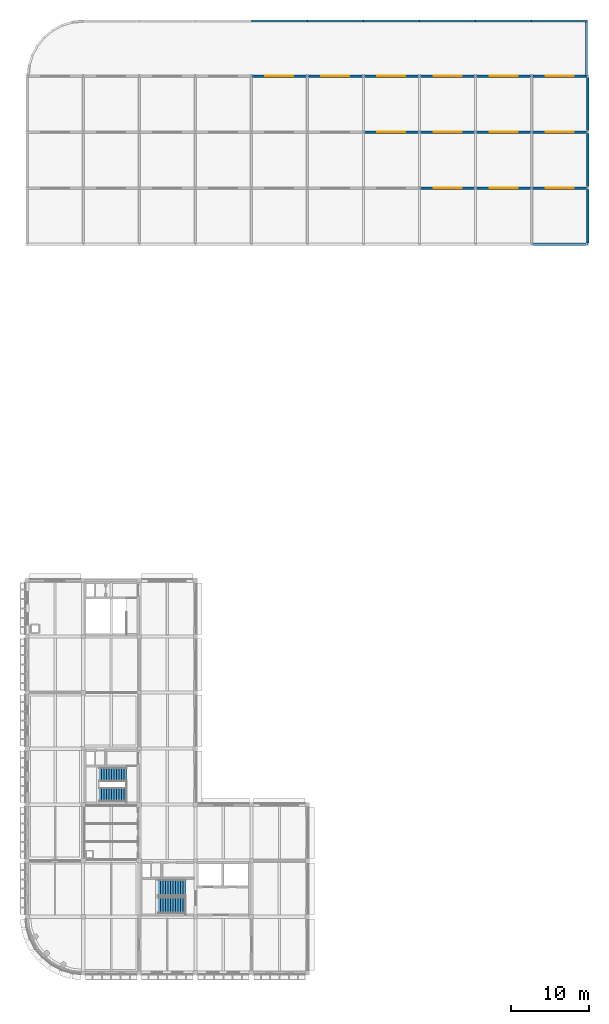
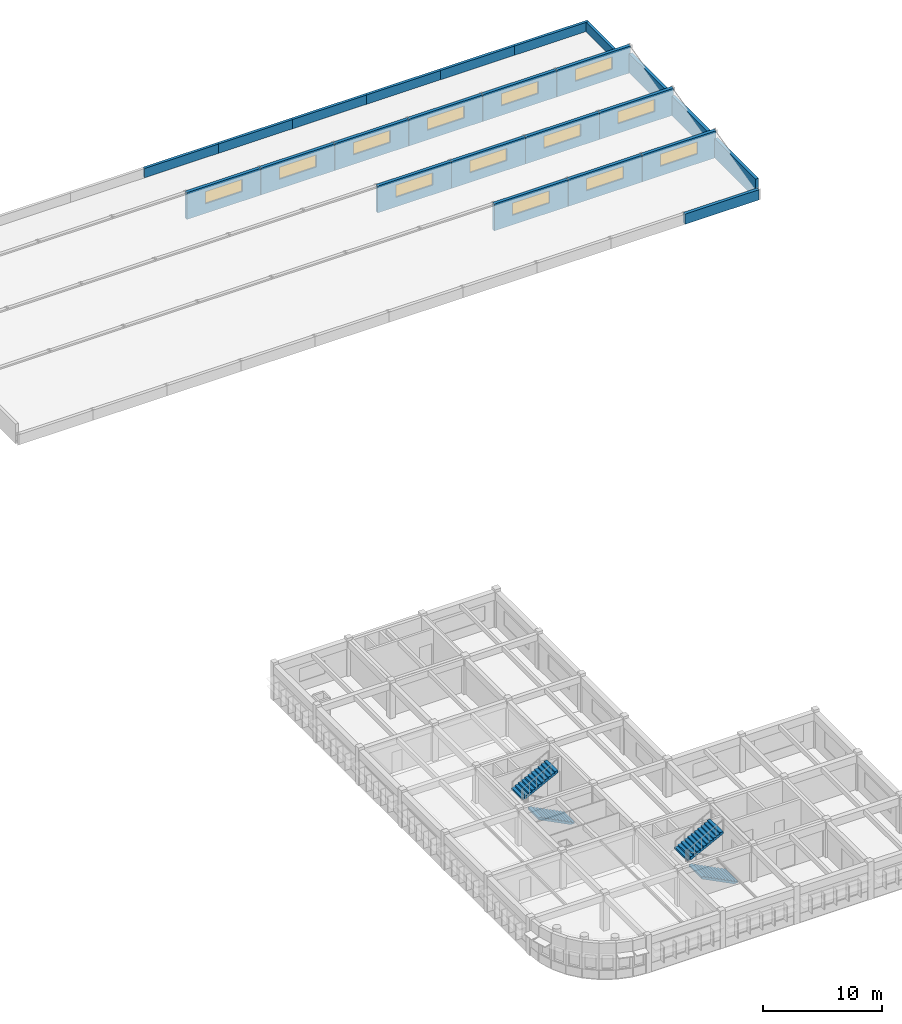
# One storey, part 17 of 19: 24 walls, 13 windows, 4 stair flights, 13 openings, 2 elements without a shape of their own.
"""IFC4 building model written with IfcOpenShell, lengths in metres."""

import ifcopenshell
import ifcopenshell.guid

model = None  # the IFC model being written
_history = None  # IfcOwnerHistory: only IFC2X3 demands one
_inside = {}  # id of a spatial element -> (the spatial element, [elements in it])
_under = {}  # id of a project, library or spatial element -> (it, [spatial elements below it])
_declared = {}  # id of a project -> (the project, [libraries it declares])
_typed = {}  # id of a type object -> (the type object, [elements of that type])
_made_of = {}  # id of a material, layer set ... -> (it, [elements and type objects made of it])


def new_model(schema):
    """Start an empty IFC model of exactly this schema.

    Asked for "IFC4X3", IfcOpenShell would pick the latest addendum, in which some entities
    have other attributes; the version numbers below select the first issue.
    IFC2X3 requires an IfcOwnerHistory on every rooted entity: one is made here for all.
    """
    global model, _history
    if schema == "IFC4X3":
        model = ifcopenshell.file(schema_version=(4, 3, 0, 0))
    else:
        model = ifcopenshell.file(schema=schema)
    _inside.clear()
    _under.clear()
    _declared.clear()
    _typed.clear()
    _made_of.clear()
    _history = None
    if model.schema == "IFC2X3":
        org = make("IfcOrganization", Name="unknown")
        user = make(
            "IfcPersonAndOrganization",
            ThePerson=make("IfcPerson", FamilyName="unknown"),
            TheOrganization=org,
        )
        app = make(
            "IfcApplication",
            ApplicationDeveloper=org,
            Version="unknown",
            ApplicationFullName="unknown",
            ApplicationIdentifier="unknown",
        )
        _history = make(
            "IfcOwnerHistory",
            OwningUser=user,
            OwningApplication=app,
            ChangeAction="ADDED",
            CreationDate=0,
        )
    return model


def make(cls, **values):
    """One entity of the class cls with the attributes given. An attribute that is None is left unset."""
    return model.create_entity(
        cls, **{name: value for name, value in values.items() if value is not None}
    )


def rooted(cls, **values):
    """An entity with a GlobalId (a new one), such as an element, a storey or a relation."""
    return make(cls, GlobalId=ifcopenshell.guid.new(), OwnerHistory=_history, **values)


def si_unit(unit_type, name, prefix=None):
    """IfcSIUnit, for example si_unit("LENGTHUNIT", "METRE", prefix="MILLI")."""
    return make("IfcSIUnit", UnitType=unit_type, Prefix=prefix, Name=name)


def assignment(units):
    """IfcUnitAssignment: the units of a project."""
    return None if units is None else make("IfcUnitAssignment", Units=units)


def point(xyz):
    """IfcCartesianPoint."""
    return None if xyz is None else make("IfcCartesianPoint", Coordinates=xyz)


def direction(xyz):
    """IfcDirection."""
    return None if xyz is None else make("IfcDirection", DirectionRatios=xyz)


def frame(location, z_axis=None, x_axis=None):
    """IfcAxis2Placement3D, a coordinate frame: its origin and axes. An axis left out is left unset."""
    return make(
        "IfcAxis2Placement3D",
        Location=point(location),
        Axis=direction(z_axis),
        RefDirection=direction(x_axis),
    )


def frame_2d(location, x_axis=None):
    """IfcAxis2Placement2D, a coordinate frame in the plane: its origin and x axis."""
    return make(
        "IfcAxis2Placement2D", Location=point(location), RefDirection=direction(x_axis)
    )


def origin():
    """The frame at (0, 0, 0) with its axes left unset."""
    return frame((0.0, 0.0, 0.0))


def place(relative_to, where):
    """IfcLocalPlacement: puts the frame where relative to a parent placement (None: the world)."""
    return make(
        "IfcLocalPlacement", PlacementRelTo=relative_to, RelativePlacement=where
    )


def context(
    kind, dimensions, precision=None, world=None, true_north=None, identifier=None
):
    """IfcGeometricRepresentationContext, for example the 3D "Model" context."""
    return make(
        "IfcGeometricRepresentationContext",
        ContextIdentifier=identifier,
        ContextType=kind,
        CoordinateSpaceDimension=dimensions,
        Precision=precision,
        WorldCoordinateSystem=world,
        TrueNorth=true_north,
    )


def subcontext(parent, identifier, kind, view, scale=None):
    """IfcGeometricRepresentationSubContext, for example "Body" below "Model"."""
    return make(
        "IfcGeometricRepresentationSubContext",
        ContextIdentifier=identifier,
        ContextType=kind,
        ParentContext=parent,
        TargetScale=scale,
        TargetView=view,
    )


def project(units=None, contexts=None):
    """IfcProject with its units and contexts."""
    return rooted(
        "IfcProject",
        Name="project",
        RepresentationContexts=contexts,
        UnitsInContext=assignment(units),
    )


def spatial(cls, under=None, at=None, **own):
    """A site, building, storey or space (cls), placed at a placement, below another one or the project."""
    s = rooted(cls, ObjectPlacement=at, **own)
    if under is not None:
        _under.setdefault(under.id(), (under, []))[1].append(s)
    return s


def polyline(points):
    """IfcPolyline through the points."""
    return make("IfcPolyline", Points=[point(p) for p in points])


def profile(cls, at=None, kind="AREA", **sizes):
    """A parametric profile (cls). Its sizes go by their IFC names, for example OverallWidth=200.0."""
    return make(cls, ProfileType=kind, Position=at, **sizes)


def rectangle(**sizes):
    """IfcRectangleProfileDef."""
    return profile("IfcRectangleProfileDef", **sizes)


def outline(outer, holes=None, kind="AREA"):
    """IfcArbitraryClosedProfileDef: a profile drawn as a closed curve; with holes, ...WithVoids."""
    if holes is None:
        return make("IfcArbitraryClosedProfileDef", ProfileType=kind, OuterCurve=outer)
    return make(
        "IfcArbitraryProfileDefWithVoids",
        ProfileType=kind,
        OuterCurve=outer,
        InnerCurves=holes,
    )


def extrude(swept, where, along, depth):
    """IfcExtrudedAreaSolid: the profile swept, set in the frame where, extruded along a direction by depth."""
    return make(
        "IfcExtrudedAreaSolid",
        SweptArea=swept,
        Position=where,
        ExtrudedDirection=direction(along),
        Depth=depth,
    )


def shape(context_of_items, identifier, shape_type, items):
    """IfcShapeRepresentation: the items that make up one representation, for example the "Body"."""
    return make(
        "IfcShapeRepresentation",
        ContextOfItems=context_of_items,
        RepresentationIdentifier=identifier,
        RepresentationType=shape_type,
        Items=items,
    )


def material(Name=None, Category=None):
    """IfcMaterial."""
    return make("IfcMaterial", Name=Name, Category=Category)


def layer(
    of_material, thickness, ventilated=None, Name=None, Category=None, Priority=None
):
    """IfcMaterialLayer: one layer of a wall or slab, of a material (None: an air gap)."""
    return make(
        "IfcMaterialLayer",
        Material=of_material,
        LayerThickness=thickness,
        IsVentilated=ventilated,
        Name=Name,
        Category=Category,
        Priority=Priority,
    )


def layer_set(layers, Name=None):
    """IfcMaterialLayerSet."""
    return make("IfcMaterialLayerSet", MaterialLayers=layers, LayerSetName=Name)


def made_of(thing, what):
    """Note that an element or type object is made of a material, layer set ...; save() writes the relation."""
    if what is not None:
        _made_of.setdefault(what.id(), (what, []))[1].append(thing)
    return thing


def type_object(cls, material=None, **own):
    """A type object (cls), such as IfcWallType, which elements share."""
    return made_of(rooted(cls, **own), material)


def element(
    cls,
    number,
    at=None,
    inside=None,
    cuts=None,
    type_object=None,
    material=None,
    context=None,
    identifier="Body",
    shape_type=None,
    held_by="IfcProductDefinitionShape",
    body=None,
    shapes=None,
    **own,
):
    """One element of the class cls, such as IfcWall. Its Tag is "e" and its number.

    at: its placement. inside: the storey or other place that contains it. cuts: it is an
    opening in that element (IfcRelVoidsElement). A single representation is given by context,
    identifier, shape_type and body (its items); several are given by shapes. held_by: the class
    of the entity that holds the representations. save() writes the other relations.
    """
    e = rooted(cls, Tag="e%d" % number, ObjectPlacement=at, **own)
    if body is not None:
        shapes = [shape(context, identifier, shape_type, body)]
    if shapes is not None:
        e.Representation = make(held_by, Representations=shapes)
    if inside is not None:
        _inside.setdefault(inside.id(), (inside, []))[1].append(e)
    if cuts is not None:
        rooted(
            "IfcRelVoidsElement", RelatingBuildingElement=cuts, RelatedOpeningElement=e
        )
    if type_object is not None:
        _typed.setdefault(type_object.id(), (type_object, []))[1].append(e)
    return made_of(e, material)


def fill(opening, filler):
    """IfcRelFillsElement: the door or window that sits in an opening."""
    return rooted(
        "IfcRelFillsElement",
        RelatingOpeningElement=opening,
        RelatedBuildingElement=filler,
    )


def aggregate(whole, parts):
    """IfcRelAggregates: a whole, such as a stair, and the parts it consists of."""
    return rooted("IfcRelAggregates", RelatingObject=whole, RelatedObjects=parts)


def save(model, path):
    """Write the relations noted so far, then the file.

    IfcRelAggregates (storeys below a building ...), IfcRelContainedInSpatialStructure (elements
    in a storey), IfcRelDefinesByType, IfcRelAssociatesMaterial and IfcRelDeclares: one each for
    every whole, place, type object, material and project.
    """
    for whole, parts in _under.values():
        aggregate(whole, parts)
    for where, things in _inside.values():
        rooted(
            "IfcRelContainedInSpatialStructure",
            RelatedElements=things,
            RelatingStructure=where,
        )
    for kind, things in _typed.values():
        rooted("IfcRelDefinesByType", RelatedObjects=things, RelatingType=kind)
    for what, things in _made_of.values():
        rooted("IfcRelAssociatesMaterial", RelatedObjects=things, RelatingMaterial=what)
    for by, libraries in _declared.values():
        rooted("IfcRelDeclares", RelatingContext=by, RelatedDefinitions=libraries)
    model.write(path)


model = new_model("IFC4")

# Units and contexts
model_context = context("Model", 3, precision=1e-05, world=origin(), true_north=direction((0.0, 1.0)))
body_context = subcontext(model_context, "Body", "Model", "MODEL_VIEW")
ifc_project = project(units=[si_unit("LENGTHUNIT", "METRE"), si_unit("AREAUNIT", "SQUARE_METRE"), si_unit("VOLUMEUNIT", "CUBIC_METRE"), si_unit("PLANEANGLEUNIT", "RADIAN"), si_unit("MASSUNIT", "GRAM", prefix="KILO")], contexts=[model_context])

# Site, building, storey
site_placement = place(None, origin())
site = spatial("IfcSite", under=ifc_project, at=site_placement, CompositionType="ELEMENT")
building_placement = place(site_placement, origin())
building = spatial("IfcBuilding", under=site, at=building_placement, Name="Thalmaran Polytechnic", CompositionType="ELEMENT")
storey_placement = place(building_placement, frame((0.0, 0.0, 26.699951171875)))
storey = spatial("IfcBuildingStorey", under=building, at=storey_placement, Name="L06", CompositionType="ELEMENT", Elevation=26.699951171875)

# Wall, opening, window
ifc_material_1 = material(Name="Precast concrete C40/50", Category="concrete")
ifc_layer_1 = layer(ifc_material_1, 0.31005859375, Name="Precast concrete C40/50")
ifc_layer_set_1 = layer_set([ifc_layer_1], Name="Precast concrete C40/50")
wall_type_1 = type_object("IfcWallType", Name="WL-EW03", PredefinedType="STANDARD", material=ifc_layer_set_1)
wall_1_placement = place(storey_placement, frame((57.590087890625, 100.800048828125, 0.0), z_axis=(0.0, 0.0, 1.0), x_axis=(-1.0, 0.0, 0.0)))
wall_1 = element("IfcWall", 1, at=wall_1_placement, inside=storey, type_object=wall_type_1, Name="Sawtooth North-Light Monitor Wall 1-07", PredefinedType="STANDARD", context=body_context, shape_type="SweptSolid", body=[
    extrude(rectangle(XDim=7.18017578125, YDim=0.31005859375, at=frame_2d((3.590087890625, 0.0))), origin(), (0.0, 0.0, 1.0), 2.758544921875),
])
opening_1_placement = place(wall_1_placement, frame((1.7900390625, 0.0, 0.97998046875)))
opening_1 = element("IfcOpeningElement", 2, at=opening_1_placement, cuts=wall_1, Name="Opening CL03", PredefinedType="OPENING", context=body_context, shape_type="SweptSolid", body=[
    extrude(rectangle(XDim=3.60009765625, YDim=1.25, at=frame_2d((1.800048828125, 0.625))), frame((0.0, 0.1650390625, 0.0), z_axis=(0.0, -1.0, 0.0), x_axis=(1.0, 0.0, 0.0)), (0.0, 0.0, 1.0), 0.330078125),
])
ifc_material_2 = material(Name="Thermally broken aluminium and double low-E glass", Category="aluminium")
window_type = type_object("IfcWindowType", Name="WN-CL03", PartitioningType="DOUBLE_PANEL_VERTICAL", PredefinedType="WINDOW", material=ifc_material_2)
window_1_placement = place(opening_1_placement, origin())
window_1 = element("IfcWindow", 3, at=window_1_placement, inside=storey, type_object=window_type, Name="Sawtooth North-Light Studio Clerestory 1-07", OverallHeight=1.25, OverallWidth=3.60009765625, PartitioningType="SINGLE_PANEL", PredefinedType="WINDOW", context=body_context, shape_type="SweptSolid", body=[
    extrude(rectangle(XDim=3.60009765625, YDim=1.25, at=frame_2d((1.800048828125, 0.625))), frame((0.0, 0.030029296875, 0.0), z_axis=(0.0, -1.0, 0.0), x_axis=(1.0, 0.0, 0.0)), (0.0, 0.0, 1.0), 0.06005859375),
])
fill(opening_1, window_1)

wall_2_placement = place(storey_placement, frame((64.7900390625, 100.800048828125, 0.0), z_axis=(0.0, 0.0, 1.0), x_axis=(-1.0, 0.0, 0.0)))
wall_2 = element("IfcWall", 4, at=wall_2_placement, inside=storey, type_object=wall_type_1, Name="Sawtooth North-Light Monitor Wall 1-08", PredefinedType="STANDARD", context=body_context, shape_type="SweptSolid", body=[
    extrude(rectangle(XDim=7.179931640625, YDim=0.31005859375, at=frame_2d((3.58984375, 0.0))), origin(), (0.0, 0.0, 1.0), 2.758544921875),
])
opening_2_placement = place(wall_2_placement, frame((1.7900390625, 0.0, 0.97998046875)))
opening_2 = element("IfcOpeningElement", 5, at=opening_2_placement, cuts=wall_2, Name="Opening CL03", PredefinedType="OPENING", context=body_context, shape_type="SweptSolid", body=[
    extrude(rectangle(XDim=3.60009765625, YDim=1.25, at=frame_2d((1.800048828125, 0.625))), frame((0.0, 0.1650390625, 0.0), z_axis=(0.0, -1.0, 0.0), x_axis=(1.0, 0.0, 0.0)), (0.0, 0.0, 1.0), 0.330078125),
])
window_2_placement = place(opening_2_placement, origin())
window_2 = element("IfcWindow", 6, at=window_2_placement, inside=storey, type_object=window_type, Name="Sawtooth North-Light Studio Clerestory 1-08", OverallHeight=1.25, OverallWidth=3.60009765625, PartitioningType="SINGLE_PANEL", PredefinedType="WINDOW", context=body_context, shape_type="SweptSolid", body=[
    extrude(rectangle(XDim=3.60009765625, YDim=1.25, at=frame_2d((1.800048828125, 0.625))), frame((0.0, 0.030029296875, 0.0), z_axis=(0.0, -1.0, 0.0), x_axis=(1.0, 0.0, 0.0)), (0.0, 0.0, 1.0), 0.06005859375),
])
fill(opening_2, window_2)

wall_3_placement = place(storey_placement, frame((71.989990234375, 100.800048828125, 0.0), z_axis=(0.0, 0.0, 1.0), x_axis=(-1.0, 0.0, 0.0)))
wall_3 = element("IfcWall", 7, at=wall_3_placement, inside=storey, type_object=wall_type_1, Name="Sawtooth North-Light Monitor Wall 1-09", PredefinedType="STANDARD", context=body_context, shape_type="SweptSolid", body=[
    extrude(rectangle(XDim=7.179931640625, YDim=0.31005859375, at=frame_2d((3.58984375, 0.0))), origin(), (0.0, 0.0, 1.0), 2.758544921875),
])
opening_3_placement = place(wall_3_placement, frame((1.7900390625, 0.0, 0.97998046875)))
opening_3 = element("IfcOpeningElement", 8, at=opening_3_placement, cuts=wall_3, Name="Opening CL03", PredefinedType="OPENING", context=body_context, shape_type="SweptSolid", body=[
    extrude(rectangle(XDim=3.60009765625, YDim=1.25, at=frame_2d((1.800048828125, 0.625))), frame((0.0, 0.1650390625, 0.0), z_axis=(0.0, -1.0, 0.0), x_axis=(1.0, 0.0, 0.0)), (0.0, 0.0, 1.0), 0.330078125),
])
window_3_placement = place(opening_3_placement, origin())
window_3 = element("IfcWindow", 9, at=window_3_placement, inside=storey, type_object=window_type, Name="Sawtooth North-Light Studio Clerestory 1-09", OverallHeight=1.25, OverallWidth=3.60009765625, PartitioningType="SINGLE_PANEL", PredefinedType="WINDOW", context=body_context, shape_type="SweptSolid", body=[
    extrude(rectangle(XDim=3.60009765625, YDim=1.25, at=frame_2d((1.800048828125, 0.625))), frame((0.0, 0.030029296875, 0.0), z_axis=(0.0, -1.0, 0.0), x_axis=(1.0, 0.0, 0.0)), (0.0, 0.0, 1.0), 0.06005859375),
])
fill(opening_3, window_3)

# Walls
wall_4_placement = place(storey_placement, frame((64.81005859375, 93.60009765625, 0.0), z_axis=(0.0, 0.0, 1.0), x_axis=(1.0, 0.0, 0.0)))
element("IfcWall", 10, at=wall_4_placement, inside=storey, type_object=wall_type_1, Name="Sawtooth South Eave Spandrel 09", PredefinedType="STANDARD", context=body_context, shape_type="SweptSolid", body=[
    extrude(rectangle(XDim=7.179931640625, YDim=0.31005859375, at=frame_2d((3.58984375, 0.0))), origin(), (0.0, 0.0, 1.0), 1.050048828125),
])
wall_5_placement = place(storey_placement, frame((72.0, 93.75, 0.0), z_axis=(0.0, 0.0, 1.0), x_axis=(0.0, 1.0, 0.0)))
element("IfcWall", 11, at=wall_5_placement, inside=storey, type_object=wall_type_1, Name="Sawtooth Monitor End Cheek Wall 1-E", PredefinedType="STANDARD", context=body_context, shape_type="SweptSolid", body=[
    extrude(rectangle(XDim=6.89990234375, YDim=0.31005859375, at=frame_2d((3.449951171875, 0.0))), origin(), (0.0, 0.0, 1.0), 1.994384765625),
])

# Wall, opening, window
wall_6_placement = place(storey_placement, frame((50.389892578125, 108.0, 0.0), z_axis=(0.0, 0.0, 1.0), x_axis=(-1.0, 0.0, 0.0)))
wall_6 = element("IfcWall", 12, at=wall_6_placement, inside=storey, type_object=wall_type_1, Name="Sawtooth North-Light Monitor Wall 2-06", PredefinedType="STANDARD", context=body_context, shape_type="SweptSolid", body=[
    extrude(rectangle(XDim=7.179931640625, YDim=0.31005859375, at=frame_2d((3.58984375, 0.0))), origin(), (0.0, 0.0, 1.0), 2.758544921875),
])
opening_4_placement = place(wall_6_placement, frame((1.7900390625, 0.0, 0.97998046875)))
opening_4 = element("IfcOpeningElement", 13, at=opening_4_placement, cuts=wall_6, Name="Opening CL03", PredefinedType="OPENING", context=body_context, shape_type="SweptSolid", body=[
    extrude(rectangle(XDim=3.60009765625, YDim=1.25, at=frame_2d((1.800048828125, 0.625))), frame((0.0, 0.1650390625, 0.0), z_axis=(0.0, -1.0, 0.0), x_axis=(1.0, 0.0, 0.0)), (0.0, 0.0, 1.0), 0.330078125),
])
window_4_placement = place(opening_4_placement, origin())
window_4 = element("IfcWindow", 14, at=window_4_placement, inside=storey, type_object=window_type, Name="Sawtooth North-Light Studio Clerestory 2-06", OverallHeight=1.25, OverallWidth=3.60009765625, PartitioningType="SINGLE_PANEL", PredefinedType="WINDOW", context=body_context, shape_type="SweptSolid", body=[
    extrude(rectangle(XDim=3.60009765625, YDim=1.25, at=frame_2d((1.800048828125, 0.625))), frame((0.0, 0.030029296875, 0.0), z_axis=(0.0, -1.0, 0.0), x_axis=(1.0, 0.0, 0.0)), (0.0, 0.0, 1.0), 0.06005859375),
])
fill(opening_4, window_4)

wall_7_placement = place(storey_placement, frame((57.590087890625, 108.0, 0.0), z_axis=(0.0, 0.0, 1.0), x_axis=(-1.0, 0.0, 0.0)))
wall_7 = element("IfcWall", 15, at=wall_7_placement, inside=storey, type_object=wall_type_1, Name="Sawtooth North-Light Monitor Wall 2-07", PredefinedType="STANDARD", context=body_context, shape_type="SweptSolid", body=[
    extrude(rectangle(XDim=7.18017578125, YDim=0.31005859375, at=frame_2d((3.590087890625, 0.0))), origin(), (0.0, 0.0, 1.0), 2.758544921875),
])
opening_5_placement = place(wall_7_placement, frame((1.7900390625, 0.0, 0.97998046875)))
opening_5 = element("IfcOpeningElement", 16, at=opening_5_placement, cuts=wall_7, Name="Opening CL03", PredefinedType="OPENING", context=body_context, shape_type="SweptSolid", body=[
    extrude(rectangle(XDim=3.60009765625, YDim=1.25, at=frame_2d((1.800048828125, 0.625))), frame((0.0, 0.1650390625, 0.0), z_axis=(0.0, -1.0, 0.0), x_axis=(1.0, 0.0, 0.0)), (0.0, 0.0, 1.0), 0.330078125),
])
window_5_placement = place(opening_5_placement, origin())
window_5 = element("IfcWindow", 17, at=window_5_placement, inside=storey, type_object=window_type, Name="Sawtooth North-Light Studio Clerestory 2-07", OverallHeight=1.25, OverallWidth=3.60009765625, PartitioningType="SINGLE_PANEL", PredefinedType="WINDOW", context=body_context, shape_type="SweptSolid", body=[
    extrude(rectangle(XDim=3.60009765625, YDim=1.25, at=frame_2d((1.800048828125, 0.625))), frame((0.0, 0.030029296875, 0.0), z_axis=(0.0, -1.0, 0.0), x_axis=(1.0, 0.0, 0.0)), (0.0, 0.0, 1.0), 0.06005859375),
])
fill(opening_5, window_5)

wall_8_placement = place(storey_placement, frame((64.7900390625, 108.0, 0.0), z_axis=(0.0, 0.0, 1.0), x_axis=(-1.0, 0.0, 0.0)))
wall_8 = element("IfcWall", 18, at=wall_8_placement, inside=storey, type_object=wall_type_1, Name="Sawtooth North-Light Monitor Wall 2-08", PredefinedType="STANDARD", context=body_context, shape_type="SweptSolid", body=[
    extrude(rectangle(XDim=7.179931640625, YDim=0.31005859375, at=frame_2d((3.58984375, 0.0))), origin(), (0.0, 0.0, 1.0), 2.758544921875),
])
opening_6_placement = place(wall_8_placement, frame((1.7900390625, 0.0, 0.97998046875)))
opening_6 = element("IfcOpeningElement", 19, at=opening_6_placement, cuts=wall_8, Name="Opening CL03", PredefinedType="OPENING", context=body_context, shape_type="SweptSolid", body=[
    extrude(rectangle(XDim=3.60009765625, YDim=1.25, at=frame_2d((1.800048828125, 0.625))), frame((0.0, 0.1650390625, 0.0), z_axis=(0.0, -1.0, 0.0), x_axis=(1.0, 0.0, 0.0)), (0.0, 0.0, 1.0), 0.330078125),
])
window_6_placement = place(opening_6_placement, origin())
window_6 = element("IfcWindow", 20, at=window_6_placement, inside=storey, type_object=window_type, Name="Sawtooth North-Light Studio Clerestory 2-08", OverallHeight=1.25, OverallWidth=3.60009765625, PartitioningType="SINGLE_PANEL", PredefinedType="WINDOW", context=body_context, shape_type="SweptSolid", body=[
    extrude(rectangle(XDim=3.60009765625, YDim=1.25, at=frame_2d((1.800048828125, 0.625))), frame((0.0, 0.030029296875, 0.0), z_axis=(0.0, -1.0, 0.0), x_axis=(1.0, 0.0, 0.0)), (0.0, 0.0, 1.0), 0.06005859375),
])
fill(opening_6, window_6)

wall_9_placement = place(storey_placement, frame((71.989990234375, 108.0, 0.0), z_axis=(0.0, 0.0, 1.0), x_axis=(-1.0, 0.0, 0.0)))
wall_9 = element("IfcWall", 21, at=wall_9_placement, inside=storey, type_object=wall_type_1, Name="Sawtooth North-Light Monitor Wall 2-09", PredefinedType="STANDARD", context=body_context, shape_type="SweptSolid", body=[
    extrude(rectangle(XDim=7.179931640625, YDim=0.31005859375, at=frame_2d((3.58984375, 0.0))), origin(), (0.0, 0.0, 1.0), 2.758544921875),
])
opening_7_placement = place(wall_9_placement, frame((1.7900390625, 0.0, 0.97998046875)))
opening_7 = element("IfcOpeningElement", 22, at=opening_7_placement, cuts=wall_9, Name="Opening CL03", PredefinedType="OPENING", context=body_context, shape_type="SweptSolid", body=[
    extrude(rectangle(XDim=3.60009765625, YDim=1.25, at=frame_2d((1.800048828125, 0.625))), frame((0.0, 0.1650390625, 0.0), z_axis=(0.0, -1.0, 0.0), x_axis=(1.0, 0.0, 0.0)), (0.0, 0.0, 1.0), 0.330078125),
])
window_7_placement = place(opening_7_placement, origin())
window_7 = element("IfcWindow", 23, at=window_7_placement, inside=storey, type_object=window_type, Name="Sawtooth North-Light Studio Clerestory 2-09", OverallHeight=1.25, OverallWidth=3.60009765625, PartitioningType="SINGLE_PANEL", PredefinedType="WINDOW", context=body_context, shape_type="SweptSolid", body=[
    extrude(rectangle(XDim=3.60009765625, YDim=1.25, at=frame_2d((1.800048828125, 0.625))), frame((0.0, 0.030029296875, 0.0), z_axis=(0.0, -1.0, 0.0), x_axis=(1.0, 0.0, 0.0)), (0.0, 0.0, 1.0), 0.06005859375),
])
fill(opening_7, window_7)

# Wall
wall_10_placement = place(storey_placement, frame((72.0, 100.949951171875, 0.0), z_axis=(0.0, 0.0, 1.0), x_axis=(0.0, 1.0, 0.0)))
element("IfcWall", 24, at=wall_10_placement, inside=storey, type_object=wall_type_1, Name="Sawtooth Monitor End Cheek Wall 2-E", PredefinedType="STANDARD", context=body_context, shape_type="SweptSolid", body=[
    extrude(rectangle(XDim=6.900146484375, YDim=0.31005859375, at=frame_2d((3.4501953125, 0.0))), origin(), (0.0, 0.0, 1.0), 1.994384765625),
])

# Wall, opening, window
wall_11_placement = place(storey_placement, frame((35.989990234375, 115.199951171875, 0.0), z_axis=(0.0, 0.0, 1.0), x_axis=(-1.0, 0.0, 0.0)))
wall_11 = element("IfcWall", 25, at=wall_11_placement, inside=storey, type_object=wall_type_1, Name="Sawtooth North-Light Monitor Wall 3-04", PredefinedType="STANDARD", context=body_context, shape_type="SweptSolid", body=[
    extrude(rectangle(XDim=7.179931640625, YDim=0.31005859375, at=frame_2d((3.58984375, 0.0))), origin(), (0.0, 0.0, 1.0), 2.758544921875),
])
opening_8_placement = place(wall_11_placement, frame((1.7900390625, 0.0, 0.97998046875)))
opening_8 = element("IfcOpeningElement", 26, at=opening_8_placement, cuts=wall_11, Name="Opening CL03", PredefinedType="OPENING", context=body_context, shape_type="SweptSolid", body=[
    extrude(rectangle(XDim=3.60009765625, YDim=1.25, at=frame_2d((1.800048828125, 0.625))), frame((0.0, 0.1650390625, 0.0), z_axis=(0.0, -1.0, 0.0), x_axis=(1.0, 0.0, 0.0)), (0.0, 0.0, 1.0), 0.330078125),
])
window_8_placement = place(opening_8_placement, origin())
window_8 = element("IfcWindow", 27, at=window_8_placement, inside=storey, type_object=window_type, Name="Sawtooth North-Light Studio Clerestory 3-04", OverallHeight=1.25, OverallWidth=3.60009765625, PartitioningType="SINGLE_PANEL", PredefinedType="WINDOW", context=body_context, shape_type="SweptSolid", body=[
    extrude(rectangle(XDim=3.60009765625, YDim=1.25, at=frame_2d((1.800048828125, 0.625))), frame((0.0, 0.030029296875, 0.0), z_axis=(0.0, -1.0, 0.0), x_axis=(1.0, 0.0, 0.0)), (0.0, 0.0, 1.0), 0.06005859375),
])
fill(opening_8, window_8)

wall_12_placement = place(storey_placement, frame((43.18994140625, 115.199951171875, 0.0), z_axis=(0.0, 0.0, 1.0), x_axis=(-1.0, 0.0, 0.0)))
wall_12 = element("IfcWall", 28, at=wall_12_placement, inside=storey, type_object=wall_type_1, Name="Sawtooth North-Light Monitor Wall 3-05", PredefinedType="STANDARD", context=body_context, shape_type="SweptSolid", body=[
    extrude(rectangle(XDim=7.179931640625, YDim=0.31005859375, at=frame_2d((3.58984375, 0.0))), origin(), (0.0, 0.0, 1.0), 2.758544921875),
])
opening_9_placement = place(wall_12_placement, frame((1.7900390625, 0.0, 0.97998046875)))
opening_9 = element("IfcOpeningElement", 29, at=opening_9_placement, cuts=wall_12, Name="Opening CL03", PredefinedType="OPENING", context=body_context, shape_type="SweptSolid", body=[
    extrude(rectangle(XDim=3.60009765625, YDim=1.25, at=frame_2d((1.800048828125, 0.625))), frame((0.0, 0.1650390625, 0.0), z_axis=(0.0, -1.0, 0.0), x_axis=(1.0, 0.0, 0.0)), (0.0, 0.0, 1.0), 0.330078125),
])
window_9_placement = place(opening_9_placement, origin())
window_9 = element("IfcWindow", 30, at=window_9_placement, inside=storey, type_object=window_type, Name="Sawtooth North-Light Studio Clerestory 3-05", OverallHeight=1.25, OverallWidth=3.60009765625, PartitioningType="SINGLE_PANEL", PredefinedType="WINDOW", context=body_context, shape_type="SweptSolid", body=[
    extrude(rectangle(XDim=3.60009765625, YDim=1.25, at=frame_2d((1.800048828125, 0.625))), frame((0.0, 0.030029296875, 0.0), z_axis=(0.0, -1.0, 0.0), x_axis=(1.0, 0.0, 0.0)), (0.0, 0.0, 1.0), 0.06005859375),
])
fill(opening_9, window_9)

wall_13_placement = place(storey_placement, frame((50.389892578125, 115.199951171875, 0.0), z_axis=(0.0, 0.0, 1.0), x_axis=(-1.0, 0.0, 0.0)))
wall_13 = element("IfcWall", 31, at=wall_13_placement, inside=storey, type_object=wall_type_1, Name="Sawtooth North-Light Monitor Wall 3-06", PredefinedType="STANDARD", context=body_context, shape_type="SweptSolid", body=[
    extrude(rectangle(XDim=7.179931640625, YDim=0.31005859375, at=frame_2d((3.58984375, 0.0))), origin(), (0.0, 0.0, 1.0), 2.758544921875),
])
opening_10_placement = place(wall_13_placement, frame((1.7900390625, 0.0, 0.97998046875)))
opening_10 = element("IfcOpeningElement", 32, at=opening_10_placement, cuts=wall_13, Name="Opening CL03", PredefinedType="OPENING", context=body_context, shape_type="SweptSolid", body=[
    extrude(rectangle(XDim=3.60009765625, YDim=1.25, at=frame_2d((1.800048828125, 0.625))), frame((0.0, 0.1650390625, 0.0), z_axis=(0.0, -1.0, 0.0), x_axis=(1.0, 0.0, 0.0)), (0.0, 0.0, 1.0), 0.330078125),
])
window_10_placement = place(opening_10_placement, origin())
window_10 = element("IfcWindow", 33, at=window_10_placement, inside=storey, type_object=window_type, Name="Sawtooth North-Light Studio Clerestory 3-06", OverallHeight=1.25, OverallWidth=3.60009765625, PartitioningType="SINGLE_PANEL", PredefinedType="WINDOW", context=body_context, shape_type="SweptSolid", body=[
    extrude(rectangle(XDim=3.60009765625, YDim=1.25, at=frame_2d((1.800048828125, 0.625))), frame((0.0, 0.030029296875, 0.0), z_axis=(0.0, -1.0, 0.0), x_axis=(1.0, 0.0, 0.0)), (0.0, 0.0, 1.0), 0.06005859375),
])
fill(opening_10, window_10)

wall_14_placement = place(storey_placement, frame((57.590087890625, 115.199951171875, 0.0), z_axis=(0.0, 0.0, 1.0), x_axis=(-1.0, 0.0, 0.0)))
wall_14 = element("IfcWall", 34, at=wall_14_placement, inside=storey, type_object=wall_type_1, Name="Sawtooth North-Light Monitor Wall 3-07", PredefinedType="STANDARD", context=body_context, shape_type="SweptSolid", body=[
    extrude(rectangle(XDim=7.18017578125, YDim=0.31005859375, at=frame_2d((3.590087890625, 0.0))), origin(), (0.0, 0.0, 1.0), 2.758544921875),
])
opening_11_placement = place(wall_14_placement, frame((1.7900390625, 0.0, 0.97998046875)))
opening_11 = element("IfcOpeningElement", 35, at=opening_11_placement, cuts=wall_14, Name="Opening CL03", PredefinedType="OPENING", context=body_context, shape_type="SweptSolid", body=[
    extrude(rectangle(XDim=3.60009765625, YDim=1.25, at=frame_2d((1.800048828125, 0.625))), frame((0.0, 0.1650390625, 0.0), z_axis=(0.0, -1.0, 0.0), x_axis=(1.0, 0.0, 0.0)), (0.0, 0.0, 1.0), 0.330078125),
])
window_11_placement = place(opening_11_placement, origin())
window_11 = element("IfcWindow", 36, at=window_11_placement, inside=storey, type_object=window_type, Name="Sawtooth North-Light Studio Clerestory 3-07", OverallHeight=1.25, OverallWidth=3.60009765625, PartitioningType="SINGLE_PANEL", PredefinedType="WINDOW", context=body_context, shape_type="SweptSolid", body=[
    extrude(rectangle(XDim=3.60009765625, YDim=1.25, at=frame_2d((1.800048828125, 0.625))), frame((0.0, 0.030029296875, 0.0), z_axis=(0.0, -1.0, 0.0), x_axis=(1.0, 0.0, 0.0)), (0.0, 0.0, 1.0), 0.06005859375),
])
fill(opening_11, window_11)

wall_15_placement = place(storey_placement, frame((64.7900390625, 115.199951171875, 0.0), z_axis=(0.0, 0.0, 1.0), x_axis=(-1.0, 0.0, 0.0)))
wall_15 = element("IfcWall", 37, at=wall_15_placement, inside=storey, type_object=wall_type_1, Name="Sawtooth North-Light Monitor Wall 3-08", PredefinedType="STANDARD", context=body_context, shape_type="SweptSolid", body=[
    extrude(rectangle(XDim=7.179931640625, YDim=0.31005859375, at=frame_2d((3.58984375, 0.0))), origin(), (0.0, 0.0, 1.0), 2.758544921875),
])
opening_12_placement = place(wall_15_placement, frame((1.7900390625, 0.0, 0.97998046875)))
opening_12 = element("IfcOpeningElement", 38, at=opening_12_placement, cuts=wall_15, Name="Opening CL03", PredefinedType="OPENING", context=body_context, shape_type="SweptSolid", body=[
    extrude(rectangle(XDim=3.60009765625, YDim=1.25, at=frame_2d((1.800048828125, 0.625))), frame((0.0, 0.1650390625, 0.0), z_axis=(0.0, -1.0, 0.0), x_axis=(1.0, 0.0, 0.0)), (0.0, 0.0, 1.0), 0.330078125),
])
window_12_placement = place(opening_12_placement, origin())
window_12 = element("IfcWindow", 39, at=window_12_placement, inside=storey, type_object=window_type, Name="Sawtooth North-Light Studio Clerestory 3-08", OverallHeight=1.25, OverallWidth=3.60009765625, PartitioningType="SINGLE_PANEL", PredefinedType="WINDOW", context=body_context, shape_type="SweptSolid", body=[
    extrude(rectangle(XDim=3.60009765625, YDim=1.25, at=frame_2d((1.800048828125, 0.625))), frame((0.0, 0.030029296875, 0.0), z_axis=(0.0, -1.0, 0.0), x_axis=(1.0, 0.0, 0.0)), (0.0, 0.0, 1.0), 0.06005859375),
])
fill(opening_12, window_12)

wall_16_placement = place(storey_placement, frame((71.989990234375, 115.199951171875, 0.0), z_axis=(0.0, 0.0, 1.0), x_axis=(-1.0, 0.0, 0.0)))
wall_16 = element("IfcWall", 40, at=wall_16_placement, inside=storey, type_object=wall_type_1, Name="Sawtooth North-Light Monitor Wall 3-09", PredefinedType="STANDARD", context=body_context, shape_type="SweptSolid", body=[
    extrude(rectangle(XDim=7.179931640625, YDim=0.31005859375, at=frame_2d((3.58984375, 0.0))), origin(), (0.0, 0.0, 1.0), 2.758544921875),
])
opening_13_placement = place(wall_16_placement, frame((1.7900390625, 0.0, 0.97998046875)))
opening_13 = element("IfcOpeningElement", 41, at=opening_13_placement, cuts=wall_16, Name="Opening CL03", PredefinedType="OPENING", context=body_context, shape_type="SweptSolid", body=[
    extrude(rectangle(XDim=3.60009765625, YDim=1.25, at=frame_2d((1.800048828125, 0.625))), frame((0.0, 0.1650390625, 0.0), z_axis=(0.0, -1.0, 0.0), x_axis=(1.0, 0.0, 0.0)), (0.0, 0.0, 1.0), 0.330078125),
])
window_13_placement = place(opening_13_placement, origin())
window_13 = element("IfcWindow", 42, at=window_13_placement, inside=storey, type_object=window_type, Name="Sawtooth North-Light Studio Clerestory 3-09", OverallHeight=1.25, OverallWidth=3.60009765625, PartitioningType="SINGLE_PANEL", PredefinedType="WINDOW", context=body_context, shape_type="SweptSolid", body=[
    extrude(rectangle(XDim=3.60009765625, YDim=1.25, at=frame_2d((1.800048828125, 0.625))), frame((0.0, 0.030029296875, 0.0), z_axis=(0.0, -1.0, 0.0), x_axis=(1.0, 0.0, 0.0)), (0.0, 0.0, 1.0), 0.06005859375),
])
fill(opening_13, window_13)

# Walls
wall_17_placement = place(storey_placement, frame((72.0, 108.14990234375, 0.0), z_axis=(0.0, 0.0, 1.0), x_axis=(0.0, 1.0, 0.0)))
element("IfcWall", 43, at=wall_17_placement, inside=storey, type_object=wall_type_1, Name="Sawtooth Monitor End Cheek Wall 3-E", PredefinedType="STANDARD", context=body_context, shape_type="SweptSolid", body=[
    extrude(rectangle(XDim=6.900146484375, YDim=0.31005859375, at=frame_2d((3.4501953125, 0.0))), origin(), (0.0, 0.0, 1.0), 1.994384765625),
])
ifc_layer_2 = layer(ifc_material_1, 0.260009765625, Name="Precast concrete C40/50")
ifc_layer_set_2 = layer_set([ifc_layer_2], Name="Precast concrete C40/50")
wall_type_2 = type_object("IfcWallType", Name="WL-PW01", PredefinedType="PARAPET", material=ifc_layer_set_2)
for number, where, z_axis, x_axis, name in (
    (44, (28.800048828125, 122.27001953125, 0.0), (0.0, 0.0, 1.0), (1.0, 0.0, 0.0), "Streamline Crown Parapet L06-010"),
    (45, (36.0, 122.27001953125, 0.0), (0.0, 0.0, 1.0), (1.0, 0.0, 0.0), "Streamline Crown Parapet L06-011"),
    (46, (43.199951171875, 122.27001953125, 0.0), (0.0, 0.0, 1.0), (1.0, 0.0, 0.0), "Streamline Crown Parapet L06-012"),
):
    element("IfcWall", number, at=place(storey_placement, frame(where, z_axis=z_axis, x_axis=x_axis)), inside=storey, type_object=wall_type_2, Name=name, PredefinedType="PARAPET", context=body_context, shape_type="SweptSolid", body=[
        extrude(rectangle(XDim=7.199951171875, YDim=0.260009765625, at=frame_2d((3.60009765625, 0.0))), origin(), (0.0, 0.0, 1.0), 0.949951171875),
    ])
wall_18_placement = place(storey_placement, frame((50.39990234375, 122.27001953125, 0.0), z_axis=(0.0, 0.0, 1.0), x_axis=(1.0, 0.0, 0.0)))
element("IfcWall", 47, at=wall_18_placement, inside=storey, type_object=wall_type_2, Name="Streamline Crown Parapet L06-013", PredefinedType="PARAPET", context=body_context, shape_type="SweptSolid", body=[
    extrude(rectangle(XDim=7.2001953125, YDim=0.260009765625, at=frame_2d((3.60009765625, 0.0))), origin(), (0.0, 0.0, 1.0), 0.949951171875),
])
for number, where, z_axis, x_axis, name in (
    (48, (57.60009765625, 122.27001953125, 0.0), (0.0, 0.0, 1.0), (1.0, 0.0, 0.0), "Streamline Crown Parapet L06-014"),
    (49, (64.800048828125, 122.27001953125, 0.0), (0.0, 0.0, 1.0), (1.0, 0.0, 0.0), "Streamline Crown Parapet L06-015"),
    (50, (71.8701171875, 122.39990234375, 0.0), (0.0, 0.0, 1.0), (0.0, -1.0, 0.0), "Streamline Crown Parapet L06-016"),
):
    element("IfcWall", number, at=place(storey_placement, frame(where, z_axis=z_axis, x_axis=x_axis)), inside=storey, type_object=wall_type_2, Name=name, PredefinedType="PARAPET", context=body_context, shape_type="SweptSolid", body=[
        extrude(rectangle(XDim=7.199951171875, YDim=0.260009765625, at=frame_2d((3.60009765625, 0.0))), origin(), (0.0, 0.0, 1.0), 0.949951171875),
    ])

# Stair, stair flights
ifc_material_3 = material(Name="Concrete C40/50", Category="concrete")
stair_type = type_object("IfcStairType", Name="ST-HT39", PredefinedType="HALF_TURN_STAIR", material=ifc_material_3)
stair_1_placement = place(storey_placement, origin())
stair_1 = element("IfcStair", 51, at=stair_1_placement, inside=storey, type_object=stair_type, Name="Exit Stair ST1 L06", PredefinedType="HALF_TURN_STAIR")
stair_flight_type = type_object("IfcStairFlightType", Name="SF-FL12", PredefinedType="STRAIGHT", material=ifc_material_3)
stair_flight_1_placement = place(storey_placement, frame((20.320068359375, 8.56005859375, 0.0), z_axis=(0.0, 0.0, 1.0), x_axis=(-1.0, 0.0, 0.0)))
stair_flight_1 = element("IfcStairFlight", 52, at=stair_flight_1_placement, type_object=stair_flight_type, Name="Stair Flight ST1 L06 Lower", NumberOfRisers=12, NumberOfTreads=11, PredefinedType="STRAIGHT", RiserHeight=0.1625, TreadLength=0.32, context=body_context, shape_type="SweptSolid", body=[
    extrude(outline(polyline([(0.0, 0.0), (0.0, 0.16259765625), (0.320068359375, 0.16259765625), (0.320068359375, 0.324951171875), (0.639892578125, 0.324951171875), (0.639892578125, 0.487548828125), (0.9599609375, 0.487548828125), (0.9599609375, 0.64990234375), (1.280029296875, 0.64990234375), (1.280029296875, 0.8125), (1.60009765625, 0.8125), (1.60009765625, 0.97509765625), (1.919921875, 0.97509765625), (1.919921875, 1.137451171875), (2.239990234375, 1.137451171875), (2.239990234375, 1.300048828125), (2.56005859375, 1.300048828125), (2.56005859375, 1.46240234375), (2.8798828125, 1.46240234375), (2.8798828125, 1.625), (3.199951171875, 1.625), (3.199951171875, 1.78759765625), (3.52001953125, 1.78759765625), (3.52001953125, 1.949951171875), (3.52001953125, 1.585693359375), (0.3974609375, 0.0), (0.0, 0.0)])), frame((0.0, 1.080078125, 0.0), z_axis=(0.0, -1.0, 0.0), x_axis=(1.0, 0.0, 0.0)), (0.0, 0.0, 1.0), 2.159912109375),
])
stair_flight_2_placement = place(storey_placement, frame((16.800048828125, 11.02001953125, 1.949951171875), z_axis=(0.0, 0.0, 1.0), x_axis=(1.0, 0.0, 0.0)))
stair_flight_2 = element("IfcStairFlight", 53, at=stair_flight_2_placement, type_object=stair_flight_type, Name="Stair Flight ST1 L06 Upper", NumberOfRisers=12, NumberOfTreads=11, PredefinedType="STRAIGHT", RiserHeight=0.1625, TreadLength=0.32, context=body_context, shape_type="SweptSolid", body=[
    extrude(outline(polyline([(0.0, 0.0), (0.0, 0.16259765625), (0.320068359375, 0.16259765625), (0.320068359375, 0.324951171875), (0.639892578125, 0.324951171875), (0.639892578125, 0.487548828125), (0.9599609375, 0.487548828125), (0.9599609375, 0.64990234375), (1.280029296875, 0.64990234375), (1.280029296875, 0.8125), (1.60009765625, 0.8125), (1.60009765625, 0.97509765625), (1.919921875, 0.97509765625), (1.919921875, 1.137451171875), (2.239990234375, 1.137451171875), (2.239990234375, 1.300048828125), (2.56005859375, 1.300048828125), (2.56005859375, 1.46240234375), (2.8798828125, 1.46240234375), (2.8798828125, 1.625), (3.199951171875, 1.625), (3.199951171875, 1.78759765625), (3.52001953125, 1.78759765625), (3.52001953125, 1.949951171875), (3.52001953125, 1.585693359375), (0.3974609375, 0.0), (0.0, 0.0)])), frame((0.0, 1.080078125, 0.0), z_axis=(0.0, -1.0, 0.0), x_axis=(1.0, 0.0, 0.0)), (0.0, 0.0, 1.0), 2.159912109375),
])
aggregate(stair_1, [stair_flight_1, stair_flight_2])

stair_2_placement = place(storey_placement, origin())
stair_2 = element("IfcStair", 54, at=stair_2_placement, inside=storey, type_object=stair_type, Name="Exit Stair ST3 L06", PredefinedType="HALF_TURN_STAIR")
stair_flight_3_placement = place(storey_placement, frame((12.760009765625, 22.7900390625, 0.0), z_axis=(0.0, 0.0, 1.0), x_axis=(-1.0, 0.0, 0.0)))
stair_flight_3 = element("IfcStairFlight", 55, at=stair_flight_3_placement, type_object=stair_flight_type, Name="Stair Flight ST3 L06 Lower", NumberOfRisers=12, NumberOfTreads=11, PredefinedType="STRAIGHT", RiserHeight=0.1625, TreadLength=0.318182, context=body_context, shape_type="SweptSolid", body=[
    extrude(outline(polyline([(0.0, 0.0), (0.0, 0.16259765625), (0.318115234375, 0.16259765625), (0.318115234375, 0.324951171875), (0.636474609375, 0.324951171875), (0.636474609375, 0.487548828125), (0.95458984375, 0.487548828125), (0.95458984375, 0.64990234375), (1.272705078125, 0.64990234375), (1.272705078125, 0.8125), (1.5908203125, 0.8125), (1.5908203125, 0.97509765625), (1.9091796875, 0.97509765625), (1.9091796875, 1.137451171875), (2.227294921875, 1.137451171875), (2.227294921875, 1.300048828125), (2.54541015625, 1.300048828125), (2.54541015625, 1.46240234375), (2.863525390625, 1.46240234375), (2.863525390625, 1.625), (3.181884765625, 1.625), (3.181884765625, 1.78759765625), (3.5, 1.78759765625), (3.5, 1.949951171875), (3.5, 1.58544921875), (0.3955078125, 0.0), (0.0, 0.0)])), frame((0.0, 0.91015625, 0.0), z_axis=(0.0, -1.0, 0.0), x_axis=(1.0, 0.0, 0.0)), (0.0, 0.0, 1.0), 1.820068359375),
])
stair_flight_4_placement = place(storey_placement, frame((9.260009765625, 25.590087890625, 1.949951171875), z_axis=(0.0, 0.0, 1.0), x_axis=(1.0, 0.0, 0.0)))
stair_flight_4 = element("IfcStairFlight", 56, at=stair_flight_4_placement, type_object=stair_flight_type, Name="Stair Flight ST3 L06 Upper", NumberOfRisers=12, NumberOfTreads=11, PredefinedType="STRAIGHT", RiserHeight=0.1625, TreadLength=0.318182, context=body_context, shape_type="SweptSolid", body=[
    extrude(outline(polyline([(0.0, 0.0), (0.0, 0.16259765625), (0.318115234375, 0.16259765625), (0.318115234375, 0.324951171875), (0.636474609375, 0.324951171875), (0.636474609375, 0.487548828125), (0.95458984375, 0.487548828125), (0.95458984375, 0.64990234375), (1.272705078125, 0.64990234375), (1.272705078125, 0.8125), (1.5908203125, 0.8125), (1.5908203125, 0.97509765625), (1.9091796875, 0.97509765625), (1.9091796875, 1.137451171875), (2.227294921875, 1.137451171875), (2.227294921875, 1.300048828125), (2.54541015625, 1.300048828125), (2.54541015625, 1.46240234375), (2.863525390625, 1.46240234375), (2.863525390625, 1.625), (3.181884765625, 1.625), (3.181884765625, 1.78759765625), (3.5, 1.78759765625), (3.5, 1.949951171875), (3.5, 1.58544921875), (0.3955078125, 0.0), (0.0, 0.0)])), frame((0.0, 0.91015625, 0.0), z_axis=(0.0, -1.0, 0.0), x_axis=(1.0, 0.0, 0.0)), (0.0, 0.0, 1.0), 1.820068359375),
])
aggregate(stair_2, [stair_flight_3, stair_flight_4])

save(model, "model.ifc")
